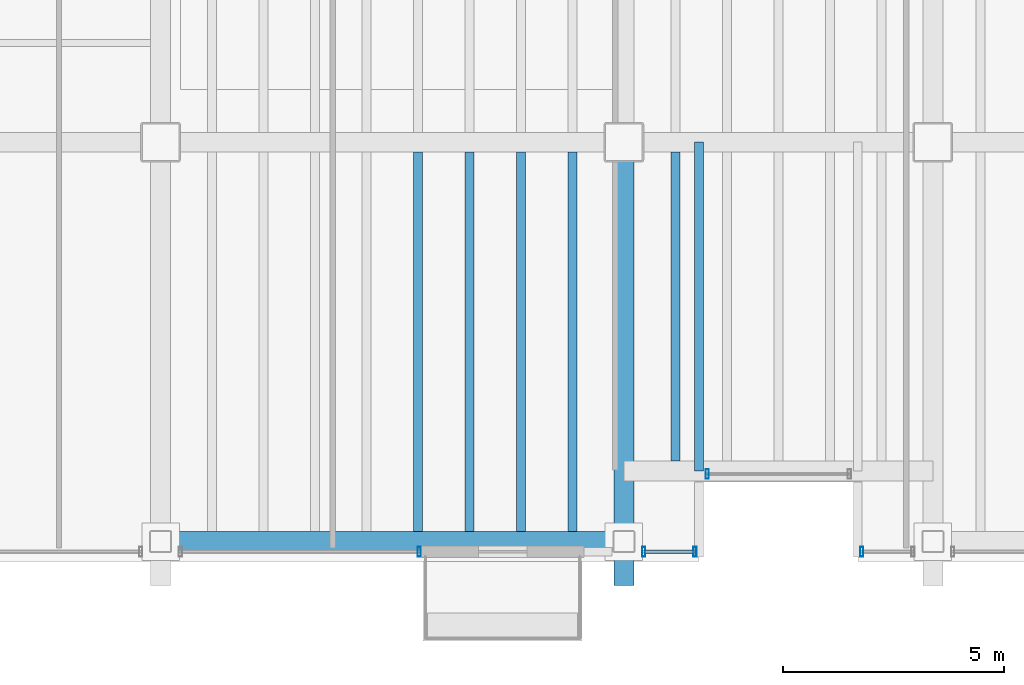
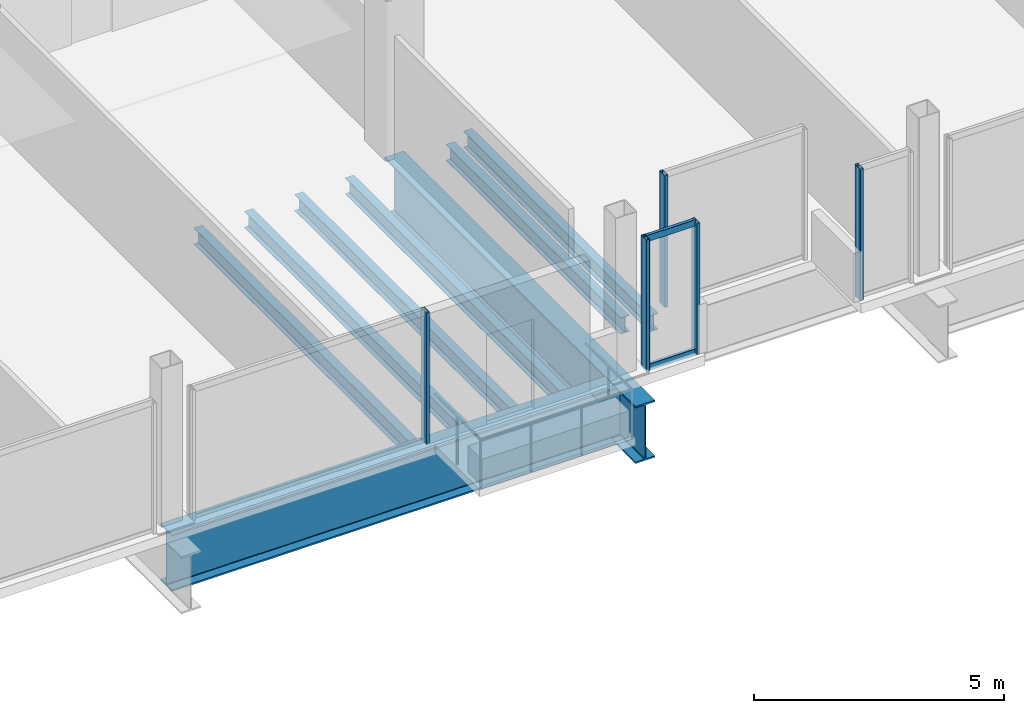
# One storey, part 5 of 24: 8 beams, 7 members, 4 elements without a shape of their own.
"""IFC4 building model written with IfcOpenShell, lengths in metres."""

from ifc_helpers import new_model, si_unit, direction, frame, origin, origin_2d, place, context, subcontext, project, spatial, hollow_rectangle, i_section, extrude, material, material_profile, profile_set, type_object, element, aggregate, save


model = new_model("IFC4")

# Units and contexts
model_context = context("Model", 3, precision=1e-05, world=origin(), true_north=direction((0.0, 1.0)))
body_context = subcontext(model_context, "Body", "Model", "MODEL_VIEW")
ifc_project = project(units=[si_unit("LENGTHUNIT", "METRE"), si_unit("AREAUNIT", "SQUARE_METRE"), si_unit("VOLUMEUNIT", "CUBIC_METRE"), si_unit("PLANEANGLEUNIT", "RADIAN"), si_unit("MASSUNIT", "GRAM", prefix="KILO")], contexts=[model_context])

# Site, building, storey
site_placement = place(None, origin())
site = spatial("IfcSite", under=ifc_project, at=site_placement, CompositionType="ELEMENT")
building_placement = place(site_placement, origin())
building = spatial("IfcBuilding", under=site, at=building_placement, Name="Noeulbin Bourse Tower", CompositionType="ELEMENT")
storey_placement = place(building_placement, frame((0.0, 0.0, 114.89990234375)))
storey = spatial("IfcBuildingStorey", under=building, at=storey_placement, Name="L28", CompositionType="ELEMENT", Elevation=114.89990234375)

# Beams
ifc_material_1 = material(Name="Steel S355", Category="steel")
ifc_material_profile_1 = material_profile(ifc_material_1, i_section(OverallWidth=0.199951171875, OverallDepth=0.39990234375, WebThickness=0.008056640625, FlangeThickness=0.012939453125, FilletRadius=0.01611328125, at=origin_2d()), Name="H-400x200x8x13", Category="LoadBearing")
ifc_profile_set_1 = profile_set([ifc_material_profile_1], Name="Steel S355")
beam_type_1 = type_object("IfcBeamType", Name="BM-SEC-400", PredefinedType="BEAM", material=ifc_profile_set_1)
beam_1_placement = place(storey_placement, frame((25.699951171875, 12.550048828125, -0.43994140625), z_axis=(0.0, 1.0, 0.0), x_axis=(-1.0, 0.0, 0.0)))
element("IfcBeam", 1, at=beam_1_placement, inside=storey, type_object=beam_type_1, Name="BM-L28-SRT-W", PredefinedType="BEAM", context=body_context, shape_type="SweptSolid", body=[
    extrude(i_section(OverallWidth=0.199951171875, OverallDepth=0.39990234375, WebThickness=0.008056640625, FlangeThickness=0.012939453125, FilletRadius=0.01611328125, at=origin_2d()), origin(), (0.0, 0.0, 1.0), 7.449951171875),
])
for number, where, z_axis, x_axis, name in (
    (2, (19.333251953125, 11.175048828125, -0.43994140625), (0.0, 1.0, 0.0), (-1.0, 0.0, 0.0), "Tower Composite Joist L28-09"),
    (3, (20.5, 11.175048828125, -0.43994140625), (0.0, 1.0, 0.0), (-1.0, 0.0, 0.0), "Tower Composite Joist L28-11"),
    (4, (21.666748046875, 11.175048828125, -0.43994140625), (0.0, 1.0, 0.0), (-1.0, 0.0, 0.0), "Tower Composite Joist L28-13"),
    (5, (22.833251953125, 11.175048828125, -0.43994140625), (0.0, 1.0, 0.0), (-1.0, 0.0, 0.0), "Tower Composite Joist L28-15"),
):
    element("IfcBeam", number, at=place(storey_placement, frame(where, z_axis=z_axis, x_axis=x_axis)), inside=storey, type_object=beam_type_1, Name=name, PredefinedType="BEAM", context=body_context, shape_type="SweptSolid", body=[
        extrude(i_section(OverallWidth=0.199951171875, OverallDepth=0.39990234375, WebThickness=0.008056640625, FlangeThickness=0.012939453125, FilletRadius=0.01611328125, at=origin_2d()), origin(), (0.0, 0.0, 1.0), 8.599853515625),
    ])
beam_2_placement = place(storey_placement, frame((25.166748046875, 12.77490234375, -0.43994140625), z_axis=(0.0, 1.0, 0.0), x_axis=(-1.0, 0.0, 0.0)))
element("IfcBeam", 6, at=beam_2_placement, inside=storey, type_object=beam_type_1, Name="Tower Composite Joist L28-17", PredefinedType="BEAM", context=body_context, shape_type="SweptSolid", body=[
    extrude(i_section(OverallWidth=0.199951171875, OverallDepth=0.39990234375, WebThickness=0.008056640625, FlangeThickness=0.012939453125, FilletRadius=0.01611328125, at=origin_2d()), origin(), (0.0, 0.0, 1.0), 7.0),
])
ifc_material_2 = material(Name="Steel S460", Category="steel")
ifc_material_profile_2 = material_profile(ifc_material_2, i_section(OverallWidth=0.449951171875, OverallDepth=1.39990234375, WebThickness=0.02392578125, FlangeThickness=0.0400390625, FilletRadius=0.02392578125, at=origin_2d()), Name="PG-1400x450x24x40", Category="LoadBearing")
ifc_profile_set_2 = profile_set([ifc_material_profile_2], Name="Steel S460")
beam_type_2 = type_object("IfcBeamType", Name="BM-TRF-1400", PredefinedType="USERDEFINED", material=ifc_profile_set_2)
beam_3_placement = place(storey_placement, frame((24.0, 9.949951171875, -0.93994140625), z_axis=(0.0, 1.0, 0.0), x_axis=(-1.0, 0.0, 0.0)))
element("IfcBeam", 7, at=beam_3_placement, inside=storey, type_object=beam_type_2, Name="Tower Primary Girder NS L28-2.1", ObjectType="GIRDER", PredefinedType="USERDEFINED", context=body_context, shape_type="SweptSolid", body=[
    extrude(i_section(OverallWidth=0.449951171875, OverallDepth=1.39990234375, WebThickness=0.02392578125, FlangeThickness=0.0400390625, FilletRadius=0.02392578125, at=origin_2d()), origin(), (0.0, 0.0, 1.0), 10.050048828125),
])
beam_4_placement = place(storey_placement, frame((13.5, 10.949951171875, -0.93994140625), z_axis=(1.0, 0.0, 0.0), x_axis=(0.0, 1.0, 0.0)))
element("IfcBeam", 8, at=beam_4_placement, inside=storey, type_object=beam_type_2, Name="South Spandrel L28-1", ObjectType="GIRDER", PredefinedType="USERDEFINED", context=body_context, shape_type="SweptSolid", body=[
    extrude(i_section(OverallWidth=0.449951171875, OverallDepth=1.39990234375, WebThickness=0.02392578125, FlangeThickness=0.0400390625, FilletRadius=0.02392578125, at=origin_2d()), origin(), (0.0, 0.0, 1.0), 10.5),
])

# Curtain wall, member
ifc_material_3 = material(Name="Dark Tinted Triple Glazing", Category="glass")
curtain_wall_type = type_object("IfcCurtainWallType", Name="CW-SYS-3", PredefinedType="NOTDEFINED", material=ifc_material_3)
curtain_wall_1_placement = place(storey_placement, origin())
curtain_wall_1 = element("IfcCurtainWall", 9, at=curtain_wall_1_placement, inside=storey, type_object=curtain_wall_type, Name="Unitised Curtain Wall CW-L28-SREC", PredefinedType="NOTDEFINED")
ifc_material_4 = material(Name="Anodised Aluminium 6063-T6", Category="aluminium")
ifc_material_profile_3 = material_profile(ifc_material_4, hollow_rectangle(XDim=0.074951171875, YDim=0.219970703125, WallThickness=0.0048828125, InnerFilletRadius=0.00244140625, OuterFilletRadius=0.0048828125, at=origin_2d()), Name="ALU-MULL-75x220x5", Category="LoadBearing")
ifc_profile_set_3 = profile_set([ifc_material_profile_3], Name="Anodised Aluminium 6063-T6")
member_type_1 = type_object("IfcMemberType", Name="CW-SYS-3-MUL", PredefinedType="MULLION", material=ifc_profile_set_3)
member_1_placement = place(storey_placement, frame((25.889892578125, 12.47998046875, -0.02001953125), z_axis=(0.0, 0.0, 1.0), x_axis=(1.0, 0.0, 0.0)))
member_1 = element("IfcMember", 10, at=member_1_placement, type_object=member_type_1, Name="Curtain Wall Mullion CW-L28-SREC-M00", PredefinedType="MULLION", context=body_context, shape_type="SweptSolid", body=[
    extrude(hollow_rectangle(XDim=0.074951171875, YDim=0.219970703125, WallThickness=0.0048828125, InnerFilletRadius=0.00244140625, OuterFilletRadius=0.0048828125, at=origin_2d()), origin(), (0.0, 0.0, 1.0), 3.22021484375),
])
aggregate(curtain_wall_1, [member_1])

curtain_wall_2_placement = place(storey_placement, origin())
curtain_wall_2 = element("IfcCurtainWall", 11, at=curtain_wall_2_placement, inside=storey, type_object=curtain_wall_type, Name="Unitised Curtain Wall CW-L28-S1-S2", PredefinedType="NOTDEFINED")
member_2_placement = place(storey_placement, frame((19.360107421875, 10.719970703125, -0.02001953125), z_axis=(0.0, 0.0, 1.0), x_axis=(1.0, 0.0, 0.0)))
member_2 = element("IfcMember", 12, at=member_2_placement, type_object=member_type_1, Name="Curtain Wall Mullion CW-L28-S1-S2-M01", PredefinedType="MULLION", context=body_context, shape_type="SweptSolid", body=[
    extrude(hollow_rectangle(XDim=0.074951171875, YDim=0.219970703125, WallThickness=0.0048828125, InnerFilletRadius=0.00244140625, OuterFilletRadius=0.0048828125, at=origin_2d()), origin(), (0.0, 0.0, 1.0), 3.22021484375),
])
aggregate(curtain_wall_2, [member_2])

# Curtain wall, members
curtain_wall_3_placement = place(storey_placement, origin())
curtain_wall_3 = element("IfcCurtainWall", 13, at=curtain_wall_3_placement, inside=storey, type_object=curtain_wall_type, Name="Unitised Curtain Wall CW-L28-S2", PredefinedType="NOTDEFINED")
member_3_placement = place(storey_placement, frame((24.449951171875, 10.719970703125, -0.02001953125), z_axis=(0.0, 0.0, 1.0), x_axis=(1.0, 0.0, 0.0)))
member_3 = element("IfcMember", 14, at=member_3_placement, type_object=member_type_1, Name="Curtain Wall Mullion CW-L28-S2-M00", PredefinedType="MULLION", context=body_context, shape_type="SweptSolid", body=[
    extrude(hollow_rectangle(XDim=0.074951171875, YDim=0.219970703125, WallThickness=0.0048828125, InnerFilletRadius=0.00244140625, OuterFilletRadius=0.0048828125, at=origin_2d()), origin(), (0.0, 0.0, 1.0), 3.22021484375),
])
member_4_placement = place(storey_placement, frame((25.610107421875, 10.719970703125, -0.02001953125), z_axis=(0.0, 0.0, 1.0), x_axis=(1.0, 0.0, 0.0)))
member_4 = element("IfcMember", 15, at=member_4_placement, type_object=member_type_1, Name="Curtain Wall Mullion CW-L28-S2-M01", PredefinedType="MULLION", context=body_context, shape_type="SweptSolid", body=[
    extrude(hollow_rectangle(XDim=0.074951171875, YDim=0.219970703125, WallThickness=0.0048828125, InnerFilletRadius=0.00244140625, OuterFilletRadius=0.0048828125, at=origin_2d()), origin(), (0.0, 0.0, 1.0), 3.22021484375),
])

# Curtain wall, member
curtain_wall_4_placement = place(storey_placement, origin())
curtain_wall_4 = element("IfcCurtainWall", 16, at=curtain_wall_4_placement, inside=storey, type_object=curtain_wall_type, Name="Unitised Curtain Wall CW-L28-S3-S1", PredefinedType="NOTDEFINED")
member_5_placement = place(storey_placement, frame((29.389892578125, 10.719970703125, -0.02001953125), z_axis=(0.0, 0.0, 1.0), x_axis=(1.0, 0.0, 0.0)))
member_5 = element("IfcMember", 17, at=member_5_placement, type_object=member_type_1, Name="Curtain Wall Mullion CW-L28-S3-S1-M00", PredefinedType="MULLION", context=body_context, shape_type="SweptSolid", body=[
    extrude(hollow_rectangle(XDim=0.074951171875, YDim=0.219970703125, WallThickness=0.0048828125, InnerFilletRadius=0.00244140625, OuterFilletRadius=0.0048828125, at=origin_2d()), origin(), (0.0, 0.0, 1.0), 3.22021484375),
])
aggregate(curtain_wall_4, [member_5])

# Member
ifc_material_profile_4 = material_profile(ifc_material_4, hollow_rectangle(XDim=0.074951171875, YDim=0.159912109375, WallThickness=0.0048828125, InnerFilletRadius=0.00244140625, OuterFilletRadius=0.0048828125, at=origin_2d()), Name="ALU-TRAN-75x160x5", Category="LoadBearing")
ifc_profile_set_4 = profile_set([ifc_material_profile_4], Name="Anodised Aluminium 6063-T6")
member_type_2 = type_object("IfcMemberType", Name="CW-SYS-3-TRN", PredefinedType="USERDEFINED", material=ifc_profile_set_4)
member_6_placement = place(storey_placement, frame((24.4599609375, 10.719970703125, 0.010009765625), z_axis=(1.0, 0.0, 0.0), x_axis=(0.0, 1.0, 0.0)))
member_6 = element("IfcMember", 18, at=member_6_placement, type_object=member_type_2, Name="Curtain Wall Transom CW-L28-S2-T00", ObjectType="TRANSOM", PredefinedType="USERDEFINED", context=body_context, shape_type="SweptSolid", body=[
    extrude(hollow_rectangle(XDim=0.074951171875, YDim=0.159912109375, WallThickness=0.0048828125, InnerFilletRadius=0.00244140625, OuterFilletRadius=0.0048828125, at=origin_2d()), origin(), (0.0, 0.0, 1.0), 1.14013671875),
])

member_7_placement = place(storey_placement, frame((24.4599609375, 10.719970703125, 3.170166015625), z_axis=(1.0, 0.0, 0.0), x_axis=(0.0, 1.0, 0.0)))
member_7 = element("IfcMember", 19, at=member_7_placement, type_object=member_type_2, Name="Curtain Wall Transom CW-L28-S2-T01", ObjectType="TRANSOM", PredefinedType="USERDEFINED", context=body_context, shape_type="SweptSolid", body=[
    extrude(hollow_rectangle(XDim=0.074951171875, YDim=0.159912109375, WallThickness=0.0048828125, InnerFilletRadius=0.00244140625, OuterFilletRadius=0.0048828125, at=origin_2d()), origin(), (0.0, 0.0, 1.0), 1.14013671875),
])

aggregate(curtain_wall_3, [member_3, member_4, member_6, member_7])

save(model, "model.ifc")
